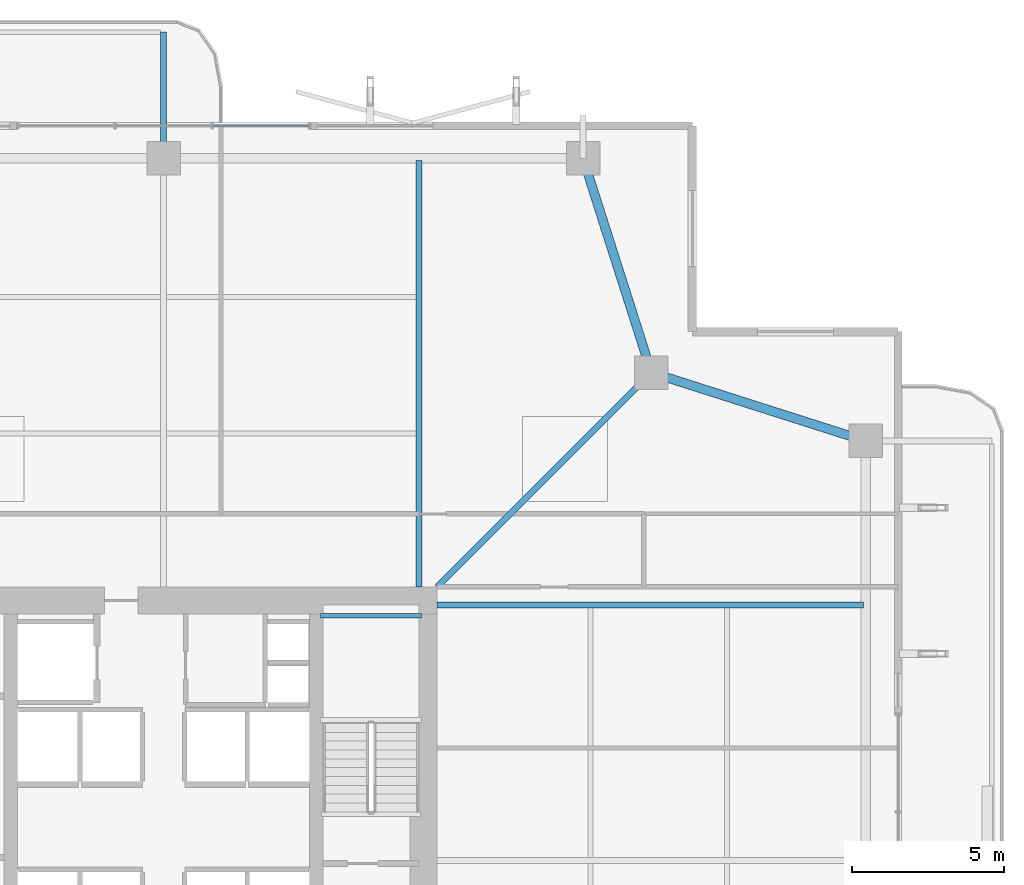
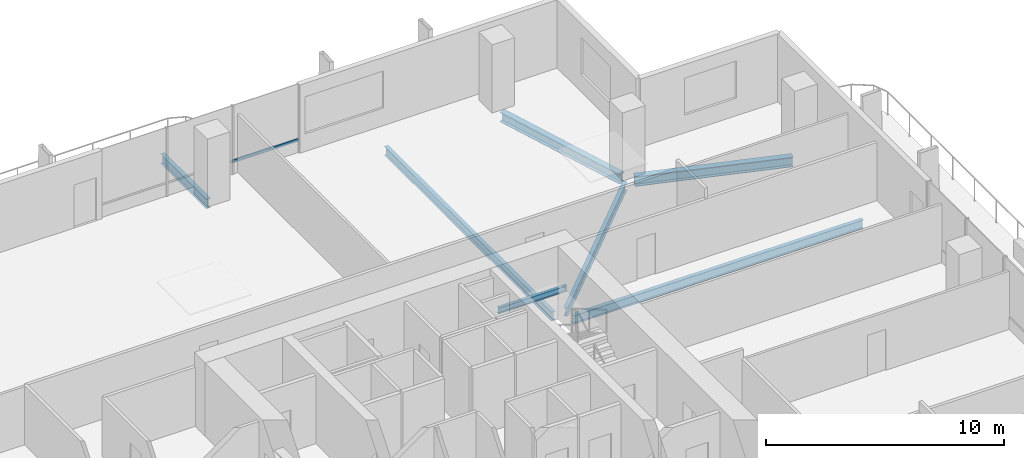
# One storey, part 14 of 24: 7 beams, 1 member, 1 element without a shape of its own.
"""IFC4 building model written with IfcOpenShell, lengths in metres."""

from ifc_helpers import new_model, si_unit, direction, frame, origin, origin_2d, place, context, subcontext, project, spatial, hollow_rectangle, i_section, extrude, material, layer, layer_set, material_profile, profile_set, type_object, element, aggregate, save


model = new_model("IFC4")

# Units and contexts
model_context = context("Model", 3, precision=1e-05, world=origin(), true_north=direction((0.0, 1.0)))
body_context = subcontext(model_context, "Body", "Model", "MODEL_VIEW")
ifc_project = project(units=[si_unit("LENGTHUNIT", "METRE"), si_unit("AREAUNIT", "SQUARE_METRE"), si_unit("VOLUMEUNIT", "CUBIC_METRE"), si_unit("PLANEANGLEUNIT", "RADIAN"), si_unit("MASSUNIT", "GRAM", prefix="KILO")], contexts=[model_context])

# Site, building, storey
site_placement = place(None, origin())
site = spatial("IfcSite", under=ifc_project, at=site_placement, CompositionType="ELEMENT")
building_placement = place(site_placement, origin())
building = spatial("IfcBuilding", under=site, at=building_placement, Name="Belovzor Exchange Tower", CompositionType="ELEMENT")
storey_placement = place(building_placement, frame((0.0, 0.0, 168.300048828125)))
storey = spatial("IfcBuildingStorey", under=building, at=storey_placement, Name="L41", CompositionType="ELEMENT", Elevation=168.300048828125)

# Beams
ifc_material_1 = material(Name="Steel S355", Category="steel")
ifc_material_profile_1 = material_profile(ifc_material_1, i_section(OverallWidth=0.199951171875, OverallDepth=0.5, WebThickness=0.01025390625, FlangeThickness=0.01611328125, at=origin_2d()))
ifc_profile_set_1 = profile_set([ifc_material_profile_1], Name="Steel S355")
beam_type_1 = type_object("IfcBeamType", Name="Planted Balcony Cantilever Beam IPE 500", PredefinedType="BEAM", material=ifc_profile_set_1)
beam_1_placement = place(storey_placement, frame((28.800048828125, 52.202880859375, -0.505126953125), z_axis=(0.0, 1.0, 0.0), x_axis=(-1.0, 0.0, 0.0)))
element("IfcBeam", 1, at=beam_1_placement, inside=storey, type_object=beam_type_1, Name="BC-500 Planted Balcony Cantilever Beam IPE 500", PredefinedType="BEAM", context=body_context, shape_type="SweptSolid", body=[
    extrude(i_section(OverallWidth=0.199951171875, OverallDepth=0.5, WebThickness=0.01025390625, FlangeThickness=0.01611328125, at=origin_2d()), origin(), (0.0, 0.0, 1.0), 3.85009765625),
])
ifc_material_2 = material(Name="Steel S355", Category="steel")
ifc_material_profile_2 = material_profile(ifc_material_2, i_section(OverallWidth=0.14990234375, OverallDepth=0.300048828125, WebThickness=0.007080078125, FlangeThickness=0.0107421875, at=origin_2d()))
ifc_profile_set_2 = profile_set([ifc_material_profile_2], Name="Steel S355")
beam_type_2 = type_object("IfcBeamType", Name="Secondary Trim Floor Joist IPE 300", PredefinedType="BEAM", material=ifc_profile_set_2)
beam_2_placement = place(storey_placement, frame((37.280029296875, 36.85009765625, 1.52490234375), z_axis=(-1.0, 0.0, 0.0), x_axis=(0.0, -1.0, 0.0)))
element("IfcBeam", 2, at=beam_2_placement, inside=storey, type_object=beam_type_2, Name="FJ-300 Secondary Trim Floor Joist IPE 300", PredefinedType="BEAM", context=body_context, shape_type="SweptSolid", body=[
    extrude(i_section(OverallWidth=0.14990234375, OverallDepth=0.300048828125, WebThickness=0.007080078125, FlangeThickness=0.0107421875, at=origin_2d()), origin(), (0.0, 0.0, 1.0), 3.31005859375),
])

# Curtain wall, member
ifc_material_3 = material(Name="Anodised Aluminium Framing", Category="aluminium")
ifc_layer = layer(ifc_material_3, 0.179931640625)
ifc_layer_set = layer_set([ifc_layer], Name="Anodised Aluminium Framing")
curtain_wall_type = type_object("IfcCurtainWallType", Name="Recessed Loggia Low-Iron Triple-Glazed Curtain Wall", PredefinedType="NOTDEFINED", material=ifc_layer_set)
curtain_wall_placement = place(storey_placement, origin())
curtain_wall = element("IfcCurtainWall", 3, at=curtain_wall_placement, inside=storey, type_object=curtain_wall_type, Name="CW3 Recessed Loggia Low-Iron Triple-Glazed Curtain Wall L41", PredefinedType="NOTDEFINED")
ifc_material_4 = material(Name="Steel S355", Category="steel")
ifc_material_profile_3 = material_profile(ifc_material_4, hollow_rectangle(XDim=0.06005859375, YDim=0.14990234375, WallThickness=0.00390625, at=origin_2d()))
ifc_profile_set_3 = profile_set([ifc_material_profile_3], Name="Steel S355")
member_type = type_object("IfcMemberType", Name="Thermally Broken Curtain Wall Transom 150x60", PredefinedType="USERDEFINED", material=ifc_profile_set_3)
member_placement = place(storey_placement, frame((30.407958984375, 52.969970703125, 0.62890625), z_axis=(1.0, 0.0, 0.0), x_axis=(0.0, 1.0, 0.0)))
member = element("IfcMember", 4, at=member_placement, type_object=member_type, Name="CW-T150 Curtain Wall Transom 3", ObjectType="TRANSOM", PredefinedType="USERDEFINED", context=body_context, shape_type="SweptSolid", body=[
    extrude(hollow_rectangle(XDim=0.06005859375, YDim=0.14990234375, WallThickness=0.00390625, at=origin_2d()), origin(), (0.0, 0.0, 1.0), 3.18408203125),
])
aggregate(curtain_wall, [member])

# Beams
ifc_material_5 = material(Name="Steel S355", Category="steel")
ifc_material_profile_4 = material_profile(ifc_material_5, i_section(OverallWidth=0.18994140625, OverallDepth=0.449951171875, WebThickness=0.009521484375, FlangeThickness=0.0146484375, at=origin_2d()))
ifc_profile_set_4 = profile_set([ifc_material_profile_4], Name="Steel S355")
beam_type_3 = type_object("IfcBeamType", Name="Zone 2-4 Radial Composite Floor Beam IPE 450", PredefinedType="BEAM", material=ifc_profile_set_4)
for number, where, z_axis, x_axis, name in (
    (5, (37.199951171875, 37.800048828125, -0.47998046875), (0.0, 1.0, 0.0), (-1.0, 0.0, 0.0), "FB-450 Zone 2-4 Radial Composite Floor Beam IPE 450"),
    (6, (37.800048828125, 37.199951171875, -0.47998046875), (1.0, 0.0, 0.0), (0.0, 1.0, 0.0), "FB-450 Zone 2-4 Radial Composite Floor Beam IPE 450"),
):
    element("IfcBeam", number, at=place(storey_placement, frame(where, z_axis=z_axis, x_axis=x_axis)), inside=storey, type_object=beam_type_3, Name=name, PredefinedType="BEAM", context=body_context, shape_type="SweptSolid", body=[
        extrude(i_section(OverallWidth=0.18994140625, OverallDepth=0.449951171875, WebThickness=0.009521484375, FlangeThickness=0.0146484375, at=origin_2d()), origin(), (0.0, 0.0, 1.0), 14.02490234375),
    ])
beam_3_placement = place(storey_placement, frame((37.800048828125, 37.800048828125, -0.47998046875), z_axis=(0.707106781187, 0.707106781187, 0.0), x_axis=(-0.707106781187, 0.707106781187, 0.0)))
element("IfcBeam", 7, at=beam_3_placement, inside=storey, type_object=beam_type_3, Name="FB-450 Zone 2-4 Radial Composite Floor Beam IPE 450", PredefinedType="BEAM", context=body_context, shape_type="SweptSolid", body=[
    extrude(i_section(OverallWidth=0.18994140625, OverallDepth=0.449951171875, WebThickness=0.009521484375, FlangeThickness=0.0146484375, at=origin_2d()), origin(), (0.0, 0.0, 1.0), 9.5810546875),
])
ifc_material_6 = material(Name="Steel S355", Category="steel")
ifc_material_profile_5 = material_profile(ifc_material_6, i_section(OverallWidth=0.300048828125, OverallDepth=0.5, WebThickness=0.014404296875, FlangeThickness=0.028076171875, at=origin_2d()))
ifc_profile_set_5 = profile_set([ifc_material_profile_5], Name="Steel S355")
beam_type_4 = type_object("IfcBeamType", Name="Zone 3 Waist Primary Girder HEB 500", PredefinedType="BEAM", material=ifc_profile_set_5)
for number, where, z_axis, x_axis, name in (
    (8, (51.612060546875, 42.69189453125, -0.505126953125), (-0.952661203756, 0.304033930439, 0.0), (-0.304033930439, -0.952661203756, 0.0), "FG-Z3 Zone 3 Waist Primary Girder HEB 500"),
    (9, (44.758056640625, 45.137939453125, -0.505126953125), (-0.304033930439, 0.952661203756, 0.0), (-0.952661203756, -0.304033930439, 0.0), "FG-Z3 Zone 3 Waist Primary Girder HEB 500"),
):
    element("IfcBeam", number, at=place(storey_placement, frame(where, z_axis=z_axis, x_axis=x_axis)), inside=storey, type_object=beam_type_4, Name=name, PredefinedType="BEAM", context=body_context, shape_type="SweptSolid", body=[
        extrude(i_section(OverallWidth=0.300048828125, OverallDepth=0.5, WebThickness=0.014404296875, FlangeThickness=0.028076171875, at=origin_2d()), origin(), (0.0, 0.0, 1.0), 6.7958984375),
    ])

save(model, "model.ifc")
